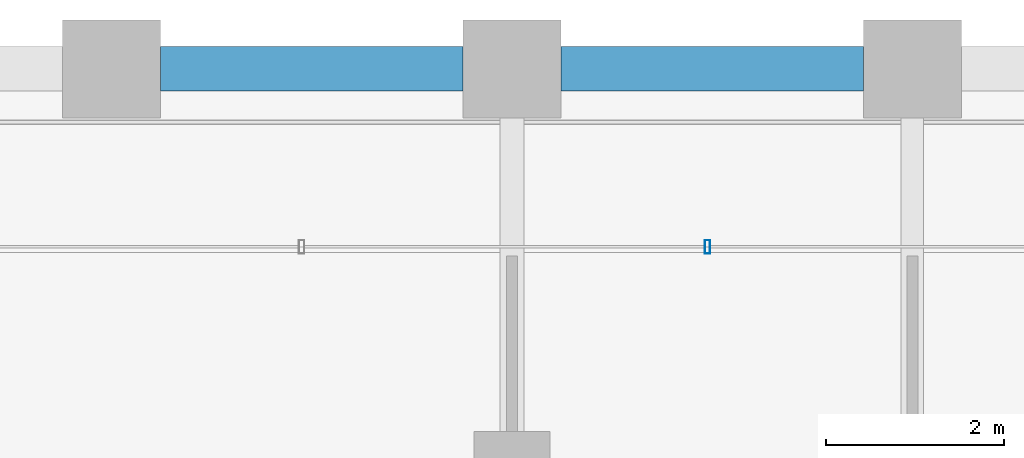
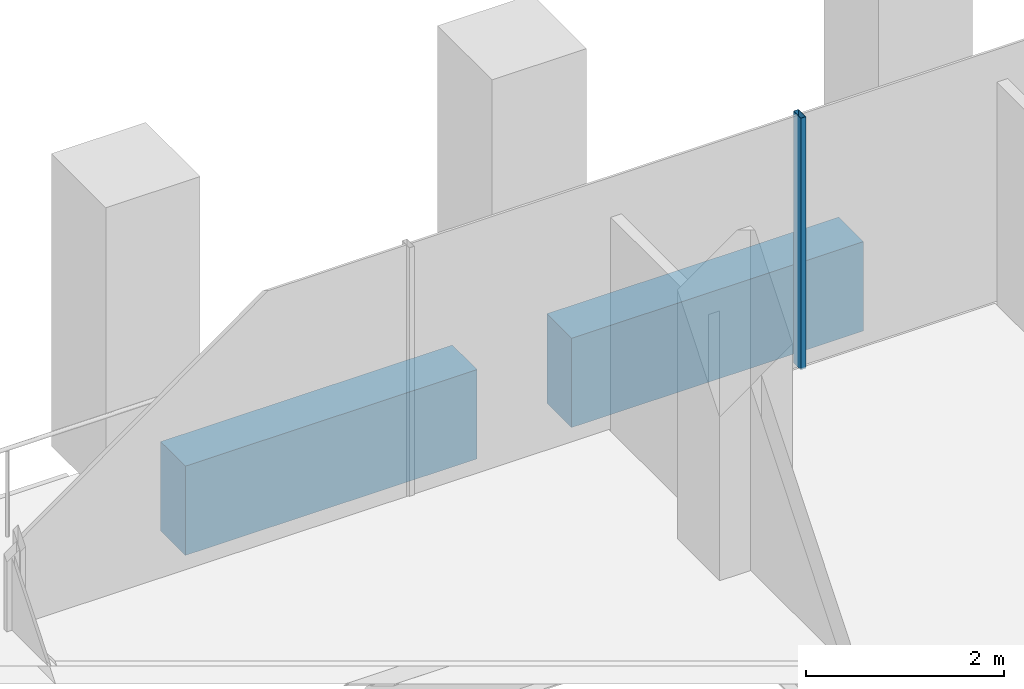
# One storey, part 27 of 56: 2 beams, 1 member, 1 element without a shape of its own.
"""IFC4 building model written with IfcOpenShell, lengths in metres."""

from ifc_helpers import new_model, si_unit, direction, frame, origin, origin_2d, place, context, subcontext, project, spatial, rectangle, hollow_rectangle, extrude, material, material_profile, profile_set, type_object, element, aggregate, save


model = new_model("IFC4")

# Units and contexts
model_context = context("Model", 3, precision=1e-05, world=origin(), true_north=direction((0.0, 1.0)))
body_context = subcontext(model_context, "Body", "Model", "MODEL_VIEW")
ifc_project = project(units=[si_unit("LENGTHUNIT", "METRE"), si_unit("AREAUNIT", "SQUARE_METRE"), si_unit("VOLUMEUNIT", "CUBIC_METRE"), si_unit("PLANEANGLEUNIT", "RADIAN"), si_unit("MASSUNIT", "GRAM", prefix="KILO")], contexts=[model_context])

# Site, building, storey
site_placement = place(None, origin())
site = spatial("IfcSite", under=ifc_project, at=site_placement, CompositionType="ELEMENT")
building_placement = place(site_placement, origin())
building = spatial("IfcBuilding", under=site, at=building_placement, Name="Altepetl Exchange Towers", CompositionType="ELEMENT")
storey_placement = place(building_placement, frame((0.0, 0.0, 72.60009765625)))
storey = spatial("IfcBuildingStorey", under=building, at=storey_placement, Name="L17", CompositionType="ELEMENT", Elevation=72.60009765625)

# Curtain wall, member
ifc_material_1 = material(Name="Aluminium 6063-T6 glazing", Category="aluminium")
curtain_wall_type = type_object("IfcCurtainWallType", Name="Loggia glazing system", PredefinedType="NOTDEFINED", material=ifc_material_1)
curtain_wall_placement = place(storey_placement, origin())
curtain_wall = element("IfcCurtainWall", 1, at=curtain_wall_placement, inside=storey, type_object=curtain_wall_type, Name="CW1 run", PredefinedType="NOTDEFINED")
ifc_material_2 = material(Name="Aluminium 6063-T6", Category="aluminium")
ifc_material_profile_1 = material_profile(ifc_material_2, hollow_rectangle(XDim=0.06005859375, YDim=0.14990234375, WallThickness=0.0029296875, at=origin_2d()), Name="Mullion 60x150 aluminium")
ifc_profile_set_1 = profile_set([ifc_material_profile_1], Name="Aluminium 6063-T6")
member_type = type_object("IfcMemberType", Name="Mullion 60x150 aluminium", PredefinedType="MULLION", material=ifc_profile_set_1)
member_placement = place(storey_placement, frame((42.696533203125, 70.0, 0.0), z_axis=(0.0, 0.0, 1.0), x_axis=(-1.0, 0.0, 0.0)))
member = element("IfcMember", 2, at=member_placement, type_object=member_type, Name="MU1 mullion", PredefinedType="MULLION", context=body_context, shape_type="SweptSolid", body=[
    extrude(hollow_rectangle(XDim=0.06005859375, YDim=0.14990234375, WallThickness=0.0029296875, at=origin_2d()), origin(), (0.0, 0.0, 1.0), 3.099853515625),
])
aggregate(curtain_wall, [member])

# Beams
ifc_material_3 = material(Name="Concrete C50/60 precast with cantera rosa facing", Category="concrete")
ifc_material_profile_2 = material_profile(ifc_material_3, rectangle(XDim=0.5, YDim=1.10009765625, at=origin_2d()), Name="500 x 1100")
ifc_profile_set_2 = profile_set([ifc_material_profile_2], Name="Concrete C50/60 precast with cantera rosa facing")
beam_type_1 = type_object("IfcBeamType", Name="Spandrel beam 500x1100 cantera rosa", PredefinedType="SPANDREL", material=ifc_profile_set_2)
beam_1_placement = place(storey_placement, frame((44.449951171875, 72.0, -0.7001953125), z_axis=(-1.0, 0.0, 0.0), x_axis=(0.0, -1.0, 0.0)))
element("IfcBeam", 3, at=beam_1_placement, inside=storey, type_object=beam_type_1, Name="sp:A:L17:029", PredefinedType="SPANDREL", context=body_context, shape_type="SweptSolid", body=[
    extrude(rectangle(XDim=0.5, YDim=1.10009765625, at=origin_2d()), origin(), (0.0, 0.0, 1.0), 3.39990234375),
])
ifc_material_4 = material(Name="Concrete C50/60 precast with tezontle facing", Category="concrete")
ifc_material_profile_3 = material_profile(ifc_material_4, rectangle(XDim=0.5, YDim=1.10009765625, at=origin_2d()), Name="500 x 1100")
ifc_profile_set_3 = profile_set([ifc_material_profile_3], Name="Concrete C50/60 precast with tezontle facing")
beam_type_2 = type_object("IfcBeamType", Name="Spandrel beam 500x1100 tezontle", PredefinedType="SPANDREL", material=ifc_profile_set_3)
beam_2_placement = place(storey_placement, frame((39.949951171875, 72.0, -0.7001953125), z_axis=(-1.0, 0.0, 0.0), x_axis=(0.0, -1.0, 0.0)))
element("IfcBeam", 4, at=beam_2_placement, inside=storey, type_object=beam_type_2, Name="sp:A:L17:030", PredefinedType="SPANDREL", context=body_context, shape_type="SweptSolid", body=[
    extrude(rectangle(XDim=0.5, YDim=1.10009765625, at=origin_2d()), origin(), (0.0, 0.0, 1.0), 3.39990234375),
])

save(model, "model.ifc")
